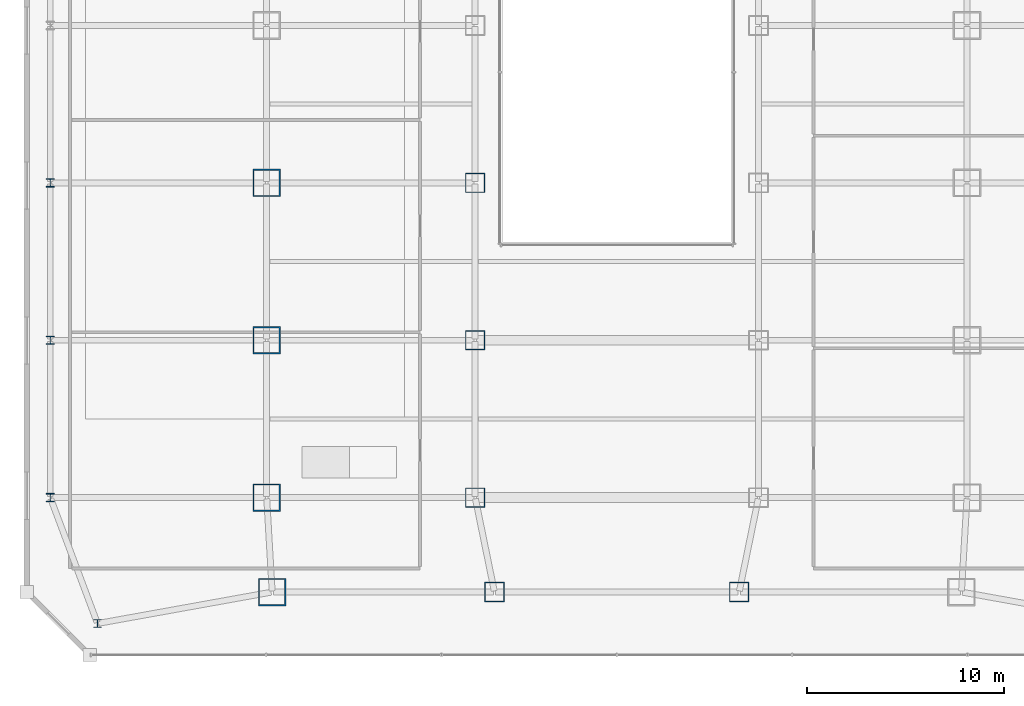
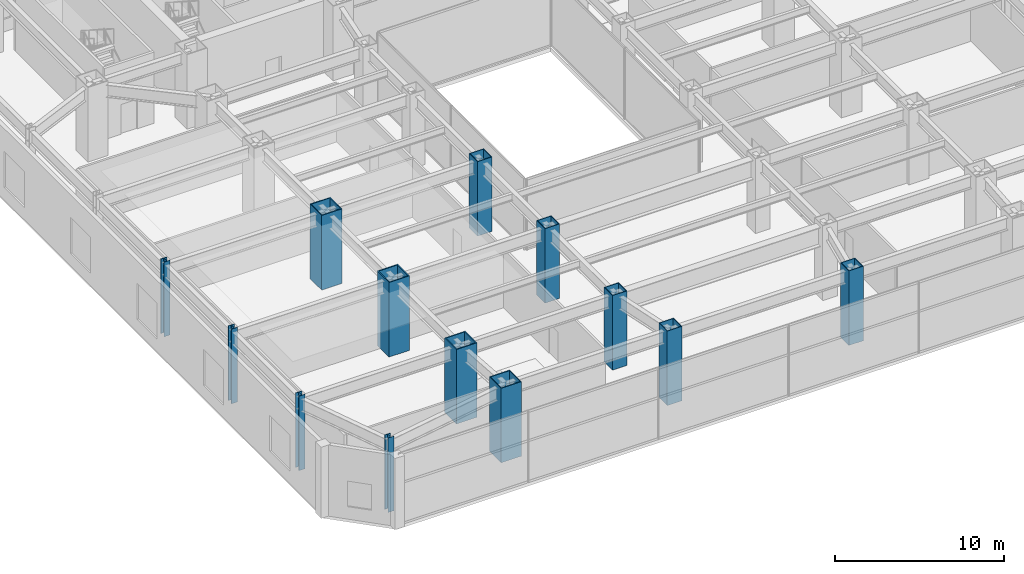
# One storey, part 1 of 53: 13 columns.
"""IFC4 building model written with IfcOpenShell, lengths in metres."""

from ifc_helpers import new_model, si_unit, direction, frame, origin, origin_2d, place, context, subcontext, project, spatial, hollow_rectangle, i_section, extrude, material, material_profile, profile_set, type_object, element, save


model = new_model("IFC4")

# Units and contexts
model_context = context("Model", 3, precision=1e-05, world=origin(), true_north=direction((0.0, 1.0)))
body_context = subcontext(model_context, "Body", "Model", "MODEL_VIEW")
ifc_project = project(units=[si_unit("LENGTHUNIT", "METRE"), si_unit("AREAUNIT", "SQUARE_METRE"), si_unit("VOLUMEUNIT", "CUBIC_METRE"), si_unit("PLANEANGLEUNIT", "RADIAN"), si_unit("MASSUNIT", "GRAM", prefix="KILO")], contexts=[model_context])

# Site, building, storey
site_placement = place(None, origin())
site = spatial("IfcSite", under=ifc_project, at=site_placement, CompositionType="ELEMENT")
building_placement = place(site_placement, origin())
building = spatial("IfcBuilding", under=site, at=building_placement, Name="Saevonmaru Cultural Tower", CompositionType="ELEMENT")
storey_placement = place(building_placement, frame((0.0, 0.0, 22.199951171875)))
storey = spatial("IfcBuildingStorey", under=building, at=storey_placement, Name="L04", CompositionType="ELEMENT", Elevation=22.199951171875)

# Columns
ifc_material_1 = material(Name="Steel SM420", Category="steel")
ifc_material_profile_1 = material_profile(ifc_material_1, hollow_rectangle(XDim=1.0, YDim=1.0, WallThickness=0.044921875, at=origin_2d()), Name="BOX-1000x1000x45")
ifc_profile_set_1 = profile_set([ifc_material_profile_1], Name="Steel SM420")
column_type_1 = type_object("IfcColumnType", Name="COL-BOX-1000", PredefinedType="COLUMN", material=ifc_profile_set_1)
for number, where, z_axis, x_axis, name in (
    (1, (23.780029296875, 3.199951171875, 0.0), (0.0, 0.0, 1.0), (1.0, 0.0, 0.0), "L04 Column PC-W2-A"),
    (2, (36.219970703125, 3.199951171875, 0.0), (0.0, 0.0, 1.0), (1.0, 0.0, 0.0), "L04 Column PC-E2-A"),
    (3, (22.800048828125, 8.0, 0.0), (0.0, 0.0, 1.0), (1.0, 0.0, 0.0), "L04 Column PC-W2-B"),
    (4, (22.800048828125, 16.0, 0.0), (0.0, 0.0, 1.0), (1.0, 0.0, 0.0), "L04 Column PC-W2-C"),
    (5, (22.800048828125, 24.0, 0.0), (0.0, 0.0, 1.0), (1.0, 0.0, 0.0), "L04 Column PC-W2-D"),
):
    element("IfcColumn", number, at=place(storey_placement, frame(where, z_axis=z_axis, x_axis=x_axis)), inside=storey, type_object=column_type_1, Name=name, PredefinedType="COLUMN", context=body_context, shape_type="SweptSolid", body=[
        extrude(hollow_rectangle(XDim=1.0, YDim=1.0, WallThickness=0.044921875, at=origin_2d()), origin(), (0.0, 0.0, 1.0), 5.400146484375),
    ])
ifc_material_2 = material(Name="Steel HSA600 (600 MPa)", Category="steel")
ifc_material_profile_2 = material_profile(ifc_material_2, hollow_rectangle(XDim=1.39990234375, YDim=1.39990234375, WallThickness=0.06494140625, at=origin_2d()), Name="BOX-1400x1400x65")
ifc_profile_set_2 = profile_set([ifc_material_profile_2], Name="Steel HSA600 (600 MPa)")
column_type_2 = type_object("IfcColumnType", Name="COL-BOX-1400", PredefinedType="COLUMN", material=ifc_profile_set_2)
for number, where, z_axis, x_axis, name in (
    (6, (12.47998046875, 3.199951171875, 0.0), (0.0, 0.0, 1.0), (1.0, 0.0, 0.0), "L04 Column PC-W1-A"),
    (7, (12.199951171875, 8.0, 0.0), (0.0, 0.0, 1.0), (1.0, 0.0, 0.0), "L04 Column PC-W1-B"),
    (8, (12.199951171875, 16.0, 0.0), (0.0, 0.0, 1.0), (1.0, 0.0, 0.0), "L04 Column PC-W1-C"),
    (9, (12.199951171875, 24.0, 0.0), (0.0, 0.0, 1.0), (1.0, 0.0, 0.0), "L04 Column PC-W1-D"),
):
    element("IfcColumn", number, at=place(storey_placement, frame(where, z_axis=z_axis, x_axis=x_axis)), inside=storey, type_object=column_type_2, Name=name, PredefinedType="COLUMN", context=body_context, shape_type="SweptSolid", body=[
        extrude(hollow_rectangle(XDim=1.39990234375, YDim=1.39990234375, WallThickness=0.06494140625, at=origin_2d()), origin(), (0.0, 0.0, 1.0), 5.400146484375),
    ])
ifc_material_3 = material(Name="Steel SM355", Category="steel")
ifc_material_profile_3 = material_profile(ifc_material_3, i_section(OverallWidth=0.39990234375, OverallDepth=0.39990234375, WebThickness=0.012939453125, FlangeThickness=0.02099609375, FilletRadius=0.02197265625, at=origin_2d()), Name="H-400x400x13x21")
ifc_profile_set_3 = profile_set([ifc_material_profile_3], Name="Steel SM355")
column_type_3 = type_object("IfcColumnType", Name="COL-H-400", PredefinedType="COLUMN", material=ifc_profile_set_3)
column_placement = place(storey_placement, frame((3.60009765625, 1.60009765625, 0.0), z_axis=(0.0, 0.0, 1.0), x_axis=(1.0, 0.0, 0.0)))
element("IfcColumn", 10, at=column_placement, inside=storey, type_object=column_type_3, Name="L04 Column PC-PS-SW", PredefinedType="COLUMN", context=body_context, shape_type="SweptSolid", body=[
    extrude(i_section(OverallWidth=0.39990234375, OverallDepth=0.39990234375, WebThickness=0.012939453125, FlangeThickness=0.02099609375, FilletRadius=0.02197265625, at=origin_2d()), origin(), (0.0, 0.0, 1.0), 5.400146484375),
])
ifc_material_profile_4 = material_profile(ifc_material_1, i_section(OverallWidth=0.419921875, OverallDepth=0.419921875, WebThickness=0.02001953125, FlangeThickness=0.034912109375, FilletRadius=0.02197265625, at=origin_2d()), Name="H-428x407x20x35")
ifc_profile_set_4 = profile_set([ifc_material_profile_4], Name="Steel SM420")
column_type_4 = type_object("IfcColumnType", Name="COL-H-428", PredefinedType="COLUMN", material=ifc_profile_set_4)
for number, where, z_axis, x_axis, name in (
    (11, (1.199951171875, 8.0, 0.0), (0.0, 0.0, 1.0), (1.0, 0.0, 0.0), "L04 Column PC-PW-B"),
    (12, (1.199951171875, 16.0, 0.0), (0.0, 0.0, 1.0), (1.0, 0.0, 0.0), "L04 Column PC-PW-C"),
    (13, (1.199951171875, 24.0, 0.0), (0.0, 0.0, 1.0), (1.0, 0.0, 0.0), "L04 Column PC-PW-D"),
):
    element("IfcColumn", number, at=place(storey_placement, frame(where, z_axis=z_axis, x_axis=x_axis)), inside=storey, type_object=column_type_4, Name=name, PredefinedType="COLUMN", context=body_context, shape_type="SweptSolid", body=[
        extrude(i_section(OverallWidth=0.419921875, OverallDepth=0.419921875, WebThickness=0.02001953125, FlangeThickness=0.034912109375, FilletRadius=0.02197265625, at=origin_2d()), origin(), (0.0, 0.0, 1.0), 5.400146484375),
    ])

save(model, "model.ifc")
